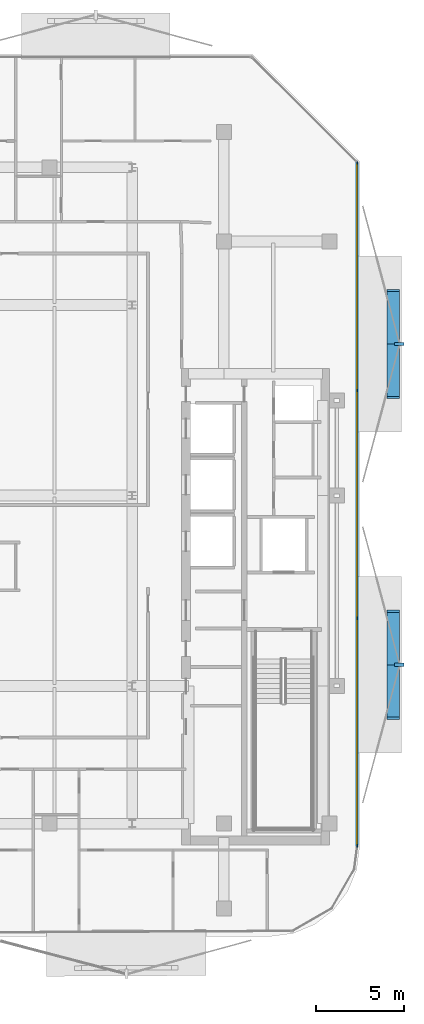
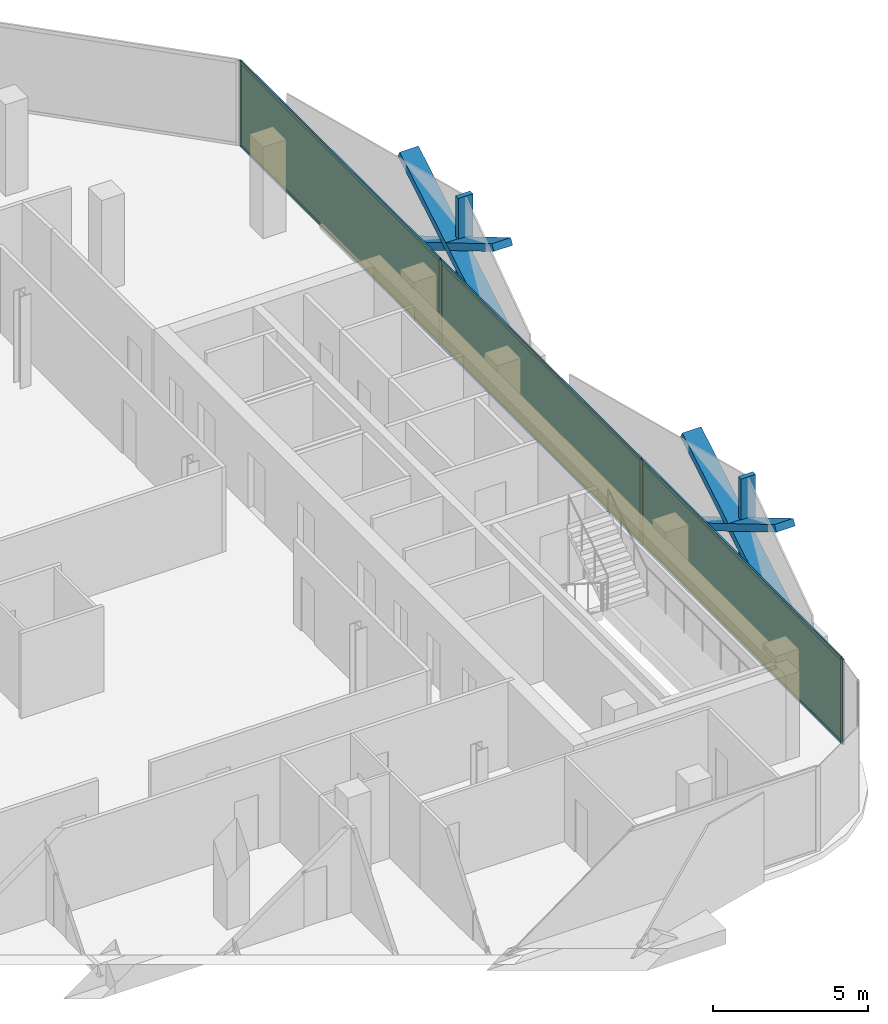
# One storey, part 10 of 16: 16 members, 3 plates, 1 curtain wall.
"""IFC4 building model written with IfcOpenShell, lengths in metres."""

from ifc_helpers import new_model, si_unit, direction, frame, frame_2d, origin, origin_2d, place, context, subcontext, project, spatial, rectangle, extrude, material, layer, layer_set, material_profile, profile_set, type_object, element, aggregate, save


model = new_model("IFC4")

# Units and contexts
model_context = context("Model", 3, precision=1e-05, world=origin(), true_north=direction((0.0, 1.0)))
body_context = subcontext(model_context, "Body", "Model", "MODEL_VIEW")
ifc_project = project(units=[si_unit("LENGTHUNIT", "METRE"), si_unit("AREAUNIT", "SQUARE_METRE"), si_unit("VOLUMEUNIT", "CUBIC_METRE"), si_unit("PLANEANGLEUNIT", "RADIAN"), si_unit("MASSUNIT", "GRAM", prefix="KILO")], contexts=[model_context])

# Member
ifc_material_1 = material(Name="Anodised Bronze Aluminium 6063-T6", Category="aluminium")
ifc_material_profile_1 = material_profile(ifc_material_1, rectangle(XDim=0.260009765625, YDim=0.699951171875, at=origin_2d()))
ifc_profile_set_1 = profile_set([ifc_material_profile_1], Name="Anodised Bronze Aluminium 6063-T6")
member_type_1 = type_object("IfcMemberType", Name="Bronze Diamond Solar-Screen Lattice Rib BDL-700", PredefinedType="MULLION", material=ifc_profile_set_1)
site_placement = place(None, origin())
building_placement = place(site_placement, origin())
storey_placement = place(building_placement, frame((0.0, 0.0, 247.60009765625)))
member_1_placement = place(storey_placement, frame((24.0, 11.619873046875, -0.130126953125), z_axis=(0.0, -0.859815314354, 0.510605155872), x_axis=(0.0, -0.510605155872, -0.859815314354)))
member_1 = element("IfcMember", 1, at=member_1_placement, type_object=member_type_1, Name="L58 Bronze Diamond Solar Screen Lattice Rib 399A", PredefinedType="MULLION", context=body_context, shape_type="SweptSolid", body=[
    extrude(rectangle(XDim=0.260009765625, YDim=0.699951171875, at=origin_2d()), origin(), (0.0, 0.0, 1.0), 7.050537109375),
])

member_2_placement = place(storey_placement, frame((24.0, 5.5576171875, -0.130126953125), z_axis=(0.0, 0.859815314354, 0.510605155872), x_axis=(0.0, 0.510605155872, -0.859815314354)))
member_2 = element("IfcMember", 2, at=member_2_placement, type_object=member_type_1, Name="L58 Bronze Diamond Solar Screen Lattice Rib 399B", PredefinedType="MULLION", context=body_context, shape_type="SweptSolid", body=[
    extrude(rectangle(XDim=0.260009765625, YDim=0.699951171875, at=origin_2d()), origin(), (0.0, 0.0, 1.0), 7.050537109375),
])

member_3_placement = place(storey_placement, frame((24.0, -6.56640625, -0.130126953125), z_axis=(0.0, -0.859815314354, 0.510605155872), x_axis=(0.0, -0.510605155872, -0.859815314354)))
member_3 = element("IfcMember", 3, at=member_3_placement, type_object=member_type_1, Name="L58 Bronze Diamond Solar Screen Lattice Rib 400A", PredefinedType="MULLION", context=body_context, shape_type="SweptSolid", body=[
    extrude(rectangle(XDim=0.260009765625, YDim=0.699951171875, at=origin_2d()), origin(), (0.0, 0.0, 1.0), 7.050537109375),
])

member_4_placement = place(storey_placement, frame((24.0, -12.628662109375, -0.130126953125), z_axis=(0.0, 0.859815314354, 0.510605155872), x_axis=(0.0, 0.510605155872, -0.859815314354)))
member_4 = element("IfcMember", 4, at=member_4_placement, type_object=member_type_1, Name="L58 Bronze Diamond Solar Screen Lattice Rib 400B", PredefinedType="MULLION", context=body_context, shape_type="SweptSolid", body=[
    extrude(rectangle(XDim=0.260009765625, YDim=0.699951171875, at=origin_2d()), origin(), (0.0, 0.0, 1.0), 7.050537109375),
])

ifc_material_2 = material(Name="Anodised Bronze Aluminium 6063-T6", Category="aluminium")
ifc_material_profile_2 = material_profile(ifc_material_2, rectangle(XDim=0.179931640625, YDim=0.5400390625, at=origin_2d()))
ifc_profile_set_2 = profile_set([ifc_material_profile_2], Name="Anodised Bronze Aluminium 6063-T6")
member_type_2 = type_object("IfcMemberType", Name="Bronze Solar-Screen Vertical Fold Fin BSF-540", PredefinedType="MULLION", material=ifc_profile_set_2)
member_5_placement = place(storey_placement, frame((24.340087890625, 8.5888671875, -0.130126953125), z_axis=(0.0, 0.0, 1.0), x_axis=(0.0, -1.0, 0.0)))
member_5 = element("IfcMember", 5, at=member_5_placement, type_object=member_type_2, Name="L58 Bronze Solar Screen Vertical Fin 399", PredefinedType="MULLION", context=body_context, shape_type="SweptSolid", body=[
    extrude(rectangle(XDim=0.179931640625, YDim=0.5400390625, at=origin_2d()), origin(), (0.0, 0.0, 1.0), 3.60009765625),
])

member_6_placement = place(storey_placement, frame((24.340087890625, -9.59765625, -0.130126953125), z_axis=(0.0, 0.0, 1.0), x_axis=(0.0, -1.0, 0.0)))
member_6 = element("IfcMember", 6, at=member_6_placement, type_object=member_type_2, Name="L58 Bronze Solar Screen Vertical Fin 400", PredefinedType="MULLION", context=body_context, shape_type="SweptSolid", body=[
    extrude(rectangle(XDim=0.179931640625, YDim=0.5400390625, at=origin_2d()), origin(), (0.0, 0.0, 1.0), 3.60009765625),
])

ifc_material_3 = material(Name="Anodised Bronze Aluminium 6063-T6", Category="aluminium")
ifc_material_profile_3 = material_profile(ifc_material_3, rectangle(XDim=0.06005859375, YDim=0.159912109375, at=origin_2d()))
ifc_profile_set_3 = profile_set([ifc_material_profile_3], Name="Anodised Bronze Aluminium 6063-T6")
member_type_3 = type_object("IfcMemberType", Name="CW-Z4 Mullion 60x160", PredefinedType="MULLION", material=ifc_profile_set_3)
member_7_placement = place(storey_placement, frame((21.9599609375, 18.85205078125, 0.0), z_axis=(0.0, 0.0, 1.0), x_axis=(1.0, 0.0, 0.0)))
member_7 = element("IfcMember", 7, at=member_7_placement, type_object=member_type_3, Name="CW-Z4 mullion 1", PredefinedType="MULLION", context=body_context, shape_type="SweptSolid", body=[
    extrude(rectangle(XDim=0.06005859375, YDim=0.159912109375, at=origin_2d()), origin(), (0.0, 0.0, 1.0), 3.33984375),
])

member_8_placement = place(storey_placement, frame((21.9599609375, 5.957763671875, 0.0), z_axis=(0.0, 0.0, 1.0), x_axis=(1.0, 0.0, 0.0)))
member_8 = element("IfcMember", 8, at=member_8_placement, type_object=member_type_3, Name="CW-Z4 mullion 2", PredefinedType="MULLION", context=body_context, shape_type="SweptSolid", body=[
    extrude(rectangle(XDim=0.06005859375, YDim=0.159912109375, at=origin_2d()), origin(), (0.0, 0.0, 1.0), 3.33984375),
])

member_9_placement = place(storey_placement, frame((21.9599609375, -6.966552734375, 0.0), z_axis=(0.0, 0.0, 1.0), x_axis=(1.0, 0.0, 0.0)))
member_9 = element("IfcMember", 9, at=member_9_placement, type_object=member_type_3, Name="CW-Z4 mullion 3", PredefinedType="MULLION", context=body_context, shape_type="SweptSolid", body=[
    extrude(rectangle(XDim=0.06005859375, YDim=0.159912109375, at=origin_2d()), origin(), (0.0, 0.0, 1.0), 3.33984375),
])

member_10_placement = place(storey_placement, frame((21.9599609375, -19.86083984375, 0.0), z_axis=(0.0, 0.0, 1.0), x_axis=(1.0, 0.0, 0.0)))
member_10 = element("IfcMember", 10, at=member_10_placement, type_object=member_type_3, Name="CW-Z4 mullion 4", PredefinedType="MULLION", context=body_context, shape_type="SweptSolid", body=[
    extrude(rectangle(XDim=0.06005859375, YDim=0.159912109375, at=origin_2d()), origin(), (0.0, 0.0, 1.0), 3.33984375),
])

ifc_material_4 = material(Name="Anodised Bronze Aluminium 6063-T6", Category="aluminium")
ifc_material_profile_4 = material_profile(ifc_material_4, rectangle(XDim=0.06005859375, YDim=0.125, at=origin_2d()))
ifc_profile_set_4 = profile_set([ifc_material_profile_4], Name="Anodised Bronze Aluminium 6063-T6")
member_type_4 = type_object("IfcMemberType", Name="CW-Z4 Transom 60x125", PredefinedType="USERDEFINED", material=ifc_profile_set_4)
member_11_placement = place(storey_placement, frame((21.9599609375, 18.822021484375, 0.02978515625), z_axis=(0.0, -1.0, 0.0), x_axis=(1.0, 0.0, 0.0)))
member_11 = element("IfcMember", 11, at=member_11_placement, type_object=member_type_4, Name="CW-Z4 transom 1.1", ObjectType="TRANSOM", PredefinedType="USERDEFINED", context=body_context, shape_type="SweptSolid", body=[
    extrude(rectangle(XDim=0.06005859375, YDim=0.125, at=origin_2d()), origin(), (0.0, 0.0, 1.0), 12.834228515625),
])

member_12_placement = place(storey_placement, frame((21.9599609375, 18.822021484375, 3.309814453125), z_axis=(0.0, -1.0, 0.0), x_axis=(1.0, 0.0, 0.0)))
member_12 = element("IfcMember", 12, at=member_12_placement, type_object=member_type_4, Name="CW-Z4 transom 1.2", ObjectType="TRANSOM", PredefinedType="USERDEFINED", context=body_context, shape_type="SweptSolid", body=[
    extrude(rectangle(XDim=0.06005859375, YDim=0.125, at=origin_2d()), origin(), (0.0, 0.0, 1.0), 12.834228515625),
])

member_13_placement = place(storey_placement, frame((21.9599609375, 5.927734375, 0.02978515625), z_axis=(0.0, -1.0, 0.0), x_axis=(1.0, 0.0, 0.0)))
member_13 = element("IfcMember", 13, at=member_13_placement, type_object=member_type_4, Name="CW-Z4 transom 2.1", ObjectType="TRANSOM", PredefinedType="USERDEFINED", context=body_context, shape_type="SweptSolid", body=[
    extrude(rectangle(XDim=0.06005859375, YDim=0.125, at=origin_2d()), origin(), (0.0, 0.0, 1.0), 12.8642578125),
])

member_14_placement = place(storey_placement, frame((21.9599609375, 5.927734375, 3.309814453125), z_axis=(0.0, -1.0, 0.0), x_axis=(1.0, 0.0, 0.0)))
member_14 = element("IfcMember", 14, at=member_14_placement, type_object=member_type_4, Name="CW-Z4 transom 2.2", ObjectType="TRANSOM", PredefinedType="USERDEFINED", context=body_context, shape_type="SweptSolid", body=[
    extrude(rectangle(XDim=0.06005859375, YDim=0.125, at=origin_2d()), origin(), (0.0, 0.0, 1.0), 12.8642578125),
])

member_15_placement = place(storey_placement, frame((21.9599609375, -6.99658203125, 0.02978515625), z_axis=(0.0, -1.0, 0.0), x_axis=(1.0, 0.0, 0.0)))
member_15 = element("IfcMember", 15, at=member_15_placement, type_object=member_type_4, Name="CW-Z4 transom 3.1", ObjectType="TRANSOM", PredefinedType="USERDEFINED", context=body_context, shape_type="SweptSolid", body=[
    extrude(rectangle(XDim=0.06005859375, YDim=0.125, at=origin_2d()), origin(), (0.0, 0.0, 1.0), 12.834228515625),
])

member_16_placement = place(storey_placement, frame((21.9599609375, -6.99658203125, 3.309814453125), z_axis=(0.0, -1.0, 0.0), x_axis=(1.0, 0.0, 0.0)))
member_16 = element("IfcMember", 16, at=member_16_placement, type_object=member_type_4, Name="CW-Z4 transom 3.2", ObjectType="TRANSOM", PredefinedType="USERDEFINED", context=body_context, shape_type="SweptSolid", body=[
    extrude(rectangle(XDim=0.06005859375, YDim=0.125, at=origin_2d()), origin(), (0.0, 0.0, 1.0), 12.834228515625),
])

# Plate
ifc_material_5 = material(Name="Low-E Solar Control Laminated Glass", Category="glass")
ifc_layer_1 = layer(ifc_material_5, 0.030029296875, Name="Low-E Solar Control Laminated Glass")
ifc_layer_set_1 = layer_set([ifc_layer_1], Name="Low-E Solar Control Laminated Glass")
plate_type = type_object("IfcPlateType", Name="CW-Z4 Low-E Double Glazed Panel 30mm", PredefinedType="CURTAIN_PANEL", material=ifc_layer_set_1)
plate_1_placement = place(storey_placement, frame((21.9599609375, 12.40478515625, 0.06005859375), z_axis=(0.0, 0.0, 1.0), x_axis=(0.0, -1.0, 0.0)))
plate_1 = element("IfcPlate", 17, at=plate_1_placement, type_object=plate_type, Name="CW-Z4 panel 1.1", PredefinedType="CURTAIN_PANEL", context=body_context, shape_type="SweptSolid", body=[
    extrude(rectangle(XDim=12.834228515625, YDim=0.030029296875, at=origin_2d()), origin(), (0.0, 0.0, 1.0), 3.219970703125),
])

plate_2_placement = place(storey_placement, frame((21.9599609375, -0.50439453125, 0.06005859375), z_axis=(0.0, 0.0, 1.0), x_axis=(0.0, -1.0, 0.0)))
plate_2 = element("IfcPlate", 18, at=plate_2_placement, type_object=plate_type, Name="CW-Z4 panel 2.1", PredefinedType="CURTAIN_PANEL", context=body_context, shape_type="SweptSolid", body=[
    extrude(rectangle(XDim=12.8642578125, YDim=0.030029296875, at=origin_2d()), origin(), (0.0, 0.0, 1.0), 3.219970703125),
])

plate_3_placement = place(storey_placement, frame((21.9599609375, -13.41357421875, 0.06005859375), z_axis=(0.0, 0.0, 1.0), x_axis=(0.0, -1.0, 0.0)))
plate_3 = element("IfcPlate", 19, at=plate_3_placement, type_object=plate_type, Name="CW-Z4 panel 3.1", PredefinedType="CURTAIN_PANEL", context=body_context, shape_type="SweptSolid", body=[
    extrude(rectangle(XDim=12.834228515625, YDim=0.030029296875, at=origin_2d()), origin(), (0.0, 0.0, 1.0), 3.219970703125),
])

# Site, building, storey
site = spatial("IfcSite", under=ifc_project, at=site_placement, CompositionType="ELEMENT")
building = spatial("IfcBuilding", under=site, at=building_placement, Name="Khairoan Windgate Tower", CompositionType="ELEMENT")
storey = spatial("IfcBuildingStorey", under=building, at=storey_placement, Name="L58", CompositionType="ELEMENT", Elevation=247.60009765625)

# Curtain wall
ifc_material_6 = material(Name="Anodised Bronze Aluminium 6063-T6", Category="aluminium")
ifc_layer_2 = layer(ifc_material_6, 0.159912109375, Name="Anodised Bronze Aluminium 6063-T6")
ifc_layer_set_2 = layer_set([ifc_layer_2], Name="Anodised Bronze Aluminium 6063-T6")
curtain_wall_type = type_object("IfcCurtainWallType", Name="Sky Residence Unitised Curtain Wall CW-Z4", PredefinedType="NOTDEFINED", material=ifc_layer_set_2)
curtain_wall_placement = place(storey_placement, frame((21.9599609375, 18.882080078125, 0.0), z_axis=(0.0, 0.0, 1.0), x_axis=(0.0, -1.0, 0.0)))
curtain_wall = element("IfcCurtainWall", 20, at=curtain_wall_placement, inside=storey, type_object=curtain_wall_type, Name="L58 Unitised Curtain Wall 11", PredefinedType="NOTDEFINED", context=body_context, shape_type="SweptSolid", body=[
    extrude(rectangle(XDim=38.77294921875, YDim=0.010009765625, at=frame_2d((19.386474609375, 0.0))), origin(), (0.0, 0.0, 1.0), 3.33984375),
])

aggregate(curtain_wall, [member_7, member_8, member_9, member_10, member_11, member_12, plate_1, member_13, member_14, plate_2, member_15, member_16, plate_3, member_1, member_2, member_5, member_3, member_4, member_6])

save(model, "model.ifc")
